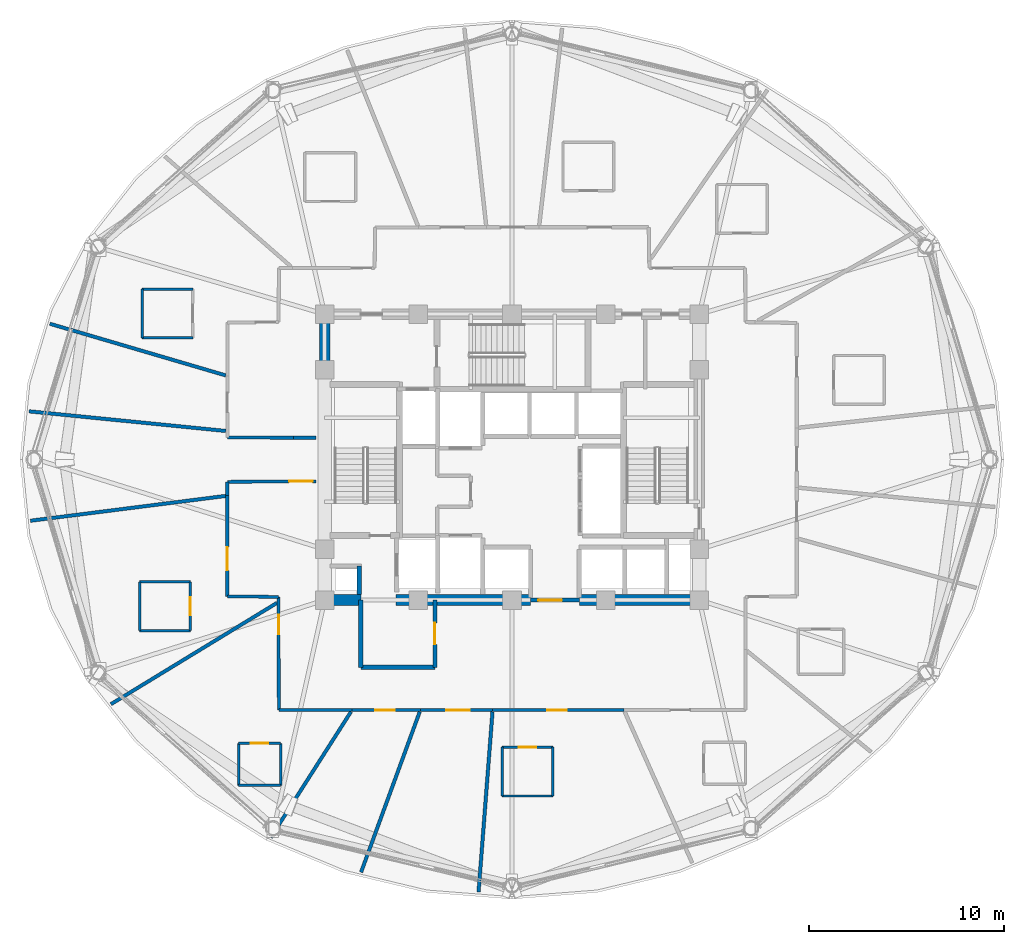
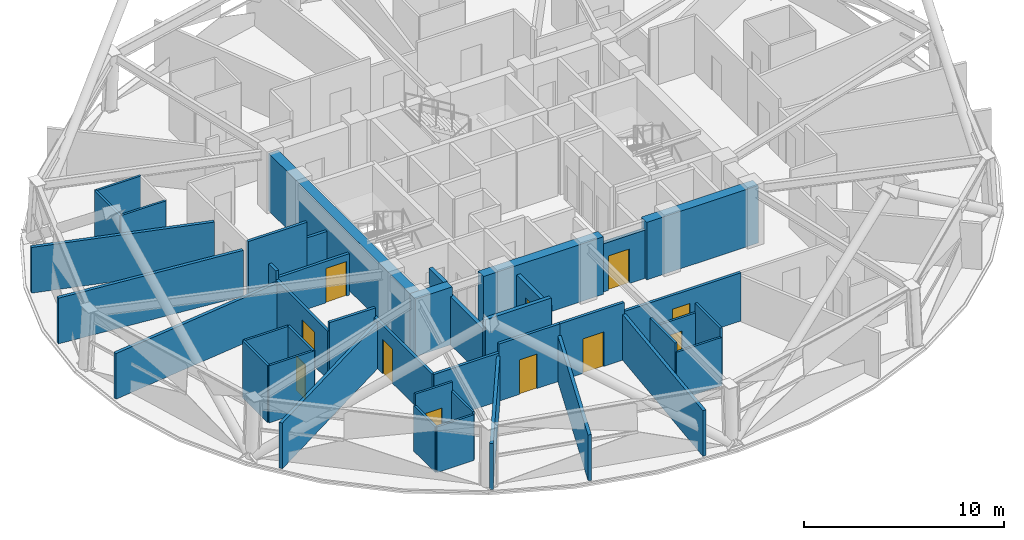
# One storey, part 7 of 13: 42 walls, 11 doors, 11 openings.
"""IFC4 building model written with IfcOpenShell, lengths in metres."""

from ifc_helpers import new_model, si_unit, direction, frame, frame_2d, origin, place, context, subcontext, project, spatial, rectangle, extrude, material, layer, layer_set, type_object, element, fill, save


model = new_model("IFC4")

# Units and contexts
model_context = context("Model", 3, precision=1e-05, world=origin(), true_north=direction((0.0, 1.0)))
body_context = subcontext(model_context, "Body", "Model", "MODEL_VIEW")
ifc_project = project(units=[si_unit("LENGTHUNIT", "METRE"), si_unit("AREAUNIT", "SQUARE_METRE"), si_unit("VOLUMEUNIT", "CUBIC_METRE"), si_unit("PLANEANGLEUNIT", "RADIAN"), si_unit("MASSUNIT", "GRAM", prefix="KILO")], contexts=[model_context])

# Site, building, storey
site_placement = place(None, origin())
site = spatial("IfcSite", under=ifc_project, at=site_placement, CompositionType="ELEMENT")
building_placement = place(site_placement, origin())
building = spatial("IfcBuilding", under=site, at=building_placement, Name="Vantalir Tower", CompositionType="ELEMENT")
storey_placement = place(building_placement, frame((0.0, 0.0, 172.199951171875)))
storey = spatial("IfcBuildingStorey", under=building, at=storey_placement, Name="L43", CompositionType="ELEMENT", Elevation=172.199951171875)

# Walls
ifc_material_1 = material(Name="Moisture-resistant en-suite partition", Category="gypsum")
ifc_layer_1 = layer(ifc_material_1, 0.125)
ifc_layer_set_1 = layer_set([ifc_layer_1], Name="Moisture-resistant en-suite partition")
wall_type_1 = type_object("IfcWallType", Name="WL-BATH-125", PredefinedType="PARTITIONING", material=ifc_layer_set_1)
for number, where, z_axis, x_axis, name in (
    (1, (12.544921875, 31.23095703125, 0.0), (0.0, 0.0, 1.0), (1.0, 0.0, 0.0), "L43 En-suite 07 South Wall"),
    (2, (12.544921875, 33.73095703125, 0.0), (0.0, 0.0, 1.0), (1.0, 0.0, 0.0), "L43 En-suite 07 North Wall"),
):
    element("IfcWall", number, at=place(storey_placement, frame(where, z_axis=z_axis, x_axis=x_axis)), inside=storey, type_object=wall_type_1, Name=name, PredefinedType="PARTITIONING", context=body_context, shape_type="SweptSolid", body=[
        extrude(rectangle(XDim=2.60009765625, YDim=0.125, at=frame_2d((1.300048828125, 0.0))), origin(), (0.0, 0.0, 1.0), 3.47998046875),
    ])
wall_1_placement = place(storey_placement, frame((12.544921875, 31.23095703125, 0.0), z_axis=(0.0, 0.0, 1.0), x_axis=(0.0, 1.0, 0.0)))
element("IfcWall", 3, at=wall_1_placement, inside=storey, type_object=wall_type_1, Name="L43 En-suite 07 West Wall", PredefinedType="PARTITIONING", context=body_context, shape_type="SweptSolid", body=[
    extrude(rectangle(XDim=2.5, YDim=0.125, at=frame_2d((1.25, 0.0))), origin(), (0.0, 0.0, 1.0), 3.47998046875),
])
for number, where, z_axis, x_axis, name in (
    (4, (12.4169921875, 16.23388671875, 0.0), (0.0, 0.0, 1.0), (1.0, 0.0, 0.0), "L43 En-suite 10 South Wall"),
    (5, (12.4169921875, 18.73388671875, 0.0), (0.0, 0.0, 1.0), (1.0, 0.0, 0.0), "L43 En-suite 10 North Wall"),
):
    element("IfcWall", number, at=place(storey_placement, frame(where, z_axis=z_axis, x_axis=x_axis)), inside=storey, type_object=wall_type_1, Name=name, PredefinedType="PARTITIONING", context=body_context, shape_type="SweptSolid", body=[
        extrude(rectangle(XDim=2.60009765625, YDim=0.125, at=frame_2d((1.300048828125, 0.0))), origin(), (0.0, 0.0, 1.0), 3.47998046875),
    ])
wall_2_placement = place(storey_placement, frame((12.4169921875, 16.23388671875, 0.0), z_axis=(0.0, 0.0, 1.0), x_axis=(0.0, 1.0, 0.0)))
element("IfcWall", 6, at=wall_2_placement, inside=storey, type_object=wall_type_1, Name="L43 En-suite 10 West Wall", PredefinedType="PARTITIONING", context=body_context, shape_type="SweptSolid", body=[
    extrude(rectangle(XDim=2.5, YDim=0.125, at=frame_2d((1.25, 0.0))), origin(), (0.0, 0.0, 1.0), 3.47998046875),
])

# Wall, opening, door
wall_3_placement = place(storey_placement, frame((15.01708984375, 16.23388671875, 0.0), z_axis=(0.0, 0.0, 1.0), x_axis=(0.0, 1.0, 0.0)))
wall_3 = element("IfcWall", 7, at=wall_3_placement, inside=storey, type_object=wall_type_1, Name="L43 En-suite 10 East Wall", PredefinedType="PARTITIONING", context=body_context, shape_type="SweptSolid", body=[
    extrude(rectangle(XDim=2.5, YDim=0.125, at=frame_2d((1.25, 0.0))), origin(), (0.0, 0.0, 1.0), 3.47998046875),
])
opening_1_placement = place(wall_3_placement, frame((0.800048828125, 0.0, 0.0)))
opening_1 = element("IfcOpeningElement", 8, at=opening_1_placement, cuts=wall_3, Name="Opening D-WC", PredefinedType="OPENING", context=body_context, shape_type="SweptSolid", body=[
    extrude(rectangle(XDim=0.89990234375, YDim=2.10009765625, at=frame_2d((0.449951171875, 1.050048828125))), frame((0.0, 0.072509765625, 0.0), z_axis=(0.0, -1.0, 0.0), x_axis=(1.0, 0.0, 0.0)), (0.0, 0.0, 1.0), 0.14501953125),
])
ifc_material_2 = material(Name="Moisture-resistant hardwood door", Category="wood")
door_type_1 = type_object("IfcDoorType", Name="DR-ENSUITE-900", OperationType="NOTDEFINED", PredefinedType="DOOR", material=ifc_material_2)
door_1_placement = place(opening_1_placement, origin())
door_1 = element("IfcDoor", 9, at=door_1_placement, inside=storey, type_object=door_type_1, Name="L43 En-suite 10 Door", OperationType="SINGLE_SWING_RIGHT", OverallHeight=2.10009765625, OverallWidth=0.89990234375, PredefinedType="DOOR", context=body_context, shape_type="SweptSolid", body=[
    extrude(rectangle(XDim=0.89990234375, YDim=2.10009765625, at=frame_2d((0.449951171875, 1.050048828125))), frame((0.0, 0.02490234375, 0.0), z_axis=(0.0, -1.0, 0.0), x_axis=(1.0, 0.0, 0.0)), (0.0, 0.0, 1.0), 0.050048828125),
])
fill(opening_1, door_1)

# Wall
wall_4_placement = place(storey_placement, frame((17.49609375, 8.302978515625, 0.0), z_axis=(0.0, 0.0, 1.0), x_axis=(1.0, 0.0, 0.0)))
element("IfcWall", 10, at=wall_4_placement, inside=storey, type_object=wall_type_1, Name="L43 En-suite 11 South Wall", PredefinedType="PARTITIONING", context=body_context, shape_type="SweptSolid", body=[
    extrude(rectangle(XDim=2.14990234375, YDim=0.125, at=frame_2d((1.074951171875, 0.0))), origin(), (0.0, 0.0, 1.0), 2.782958984375),
])

# Wall, opening, door
wall_5_placement = place(storey_placement, frame((17.49609375, 10.452880859375, 0.0), z_axis=(0.0, 0.0, 1.0), x_axis=(1.0, 0.0, 0.0)))
wall_5 = element("IfcWall", 11, at=wall_5_placement, inside=storey, type_object=wall_type_1, Name="L43 En-suite 11 North Wall", PredefinedType="PARTITIONING", context=body_context, shape_type="SweptSolid", body=[
    extrude(rectangle(XDim=2.14990234375, YDim=0.125, at=frame_2d((1.074951171875, 0.0))), origin(), (0.0, 0.0, 1.0), 3.47998046875),
])
opening_2_placement = place(wall_5_placement, frame((0.625, 0.0, 0.0)))
opening_2 = element("IfcOpeningElement", 12, at=opening_2_placement, cuts=wall_5, Name="Opening D-WC", PredefinedType="OPENING", context=body_context, shape_type="SweptSolid", body=[
    extrude(rectangle(XDim=0.89990234375, YDim=2.10009765625, at=frame_2d((0.449951171875, 1.050048828125))), frame((0.0, 0.072509765625, 0.0), z_axis=(0.0, -1.0, 0.0), x_axis=(1.0, 0.0, 0.0)), (0.0, 0.0, 1.0), 0.14501953125),
])
door_2_placement = place(opening_2_placement, frame((0.89990234375, 0.0, 0.0), z_axis=(0.0, 0.0, 1.0), x_axis=(-1.0, 0.0, 0.0)))
door_2 = element("IfcDoor", 13, at=door_2_placement, inside=storey, type_object=door_type_1, Name="L43 En-suite 11 Door", OperationType="SINGLE_SWING_LEFT", OverallHeight=2.10009765625, OverallWidth=0.89990234375, PredefinedType="DOOR", context=body_context, shape_type="SweptSolid", body=[
    extrude(rectangle(XDim=0.89990234375, YDim=2.10009765625, at=frame_2d((0.449951171875, 1.050048828125))), frame((0.0, 0.02490234375, 0.0), z_axis=(0.0, -1.0, 0.0), x_axis=(1.0, 0.0, 0.0)), (0.0, 0.0, 1.0), 0.050048828125),
])
fill(opening_2, door_2)

# Walls
wall_6_placement = place(storey_placement, frame((17.49609375, 8.302978515625, 0.0), z_axis=(0.0, 0.0, 1.0), x_axis=(0.0, 1.0, 0.0)))
element("IfcWall", 14, at=wall_6_placement, inside=storey, type_object=wall_type_1, Name="L43 En-suite 11 West Wall", PredefinedType="PARTITIONING", context=body_context, shape_type="SweptSolid", body=[
    extrude(rectangle(XDim=2.14990234375, YDim=0.125, at=frame_2d((1.074951171875, 0.0))), origin(), (0.0, 0.0, 1.0), 2.782958984375),
])
wall_7_placement = place(storey_placement, frame((19.64599609375, 8.302978515625, 0.0), z_axis=(0.0, 0.0, 1.0), x_axis=(0.0, 1.0, 0.0)))
element("IfcWall", 15, at=wall_7_placement, inside=storey, type_object=wall_type_1, Name="L43 En-suite 11 East Wall", PredefinedType="PARTITIONING", context=body_context, shape_type="SweptSolid", body=[
    extrude(rectangle(XDim=2.14990234375, YDim=0.125, at=frame_2d((1.074951171875, 0.0))), origin(), (0.0, 0.0, 1.0), 2.93603515625),
])
wall_8_placement = place(storey_placement, frame((30.998046875, 7.760009765625, 0.0), z_axis=(0.0, 0.0, 1.0), x_axis=(1.0, 0.0, 0.0)))
element("IfcWall", 16, at=wall_8_placement, inside=storey, type_object=wall_type_1, Name="L43 En-suite 14 South Wall", PredefinedType="PARTITIONING", context=body_context, shape_type="SweptSolid", body=[
    extrude(rectangle(XDim=2.599853515625, YDim=0.125, at=frame_2d((1.2998046875, 0.0))), origin(), (0.0, 0.0, 1.0), 2.93603515625),
])

# Wall, opening, door
wall_9_placement = place(storey_placement, frame((30.998046875, 10.260009765625, 0.0), z_axis=(0.0, 0.0, 1.0), x_axis=(1.0, 0.0, 0.0)))
wall_9 = element("IfcWall", 17, at=wall_9_placement, inside=storey, type_object=wall_type_1, Name="L43 En-suite 14 North Wall", PredefinedType="PARTITIONING", context=body_context, shape_type="SweptSolid", body=[
    extrude(rectangle(XDim=2.599853515625, YDim=0.125, at=frame_2d((1.2998046875, 0.0))), origin(), (0.0, 0.0, 1.0), 2.93603515625),
])
opening_3_placement = place(wall_9_placement, frame((0.85009765625, 0.0, 0.0)))
opening_3 = element("IfcOpeningElement", 18, at=opening_3_placement, cuts=wall_9, Name="Opening D-WC", PredefinedType="OPENING", context=body_context, shape_type="SweptSolid", body=[
    extrude(rectangle(XDim=0.89990234375, YDim=2.10009765625, at=frame_2d((0.449951171875, 1.050048828125))), frame((0.0, 0.072509765625, 0.0), z_axis=(0.0, -1.0, 0.0), x_axis=(1.0, 0.0, 0.0)), (0.0, 0.0, 1.0), 0.14501953125),
])
door_3_placement = place(opening_3_placement, frame((0.89990234375, 0.0, 0.0), z_axis=(0.0, 0.0, 1.0), x_axis=(-1.0, 0.0, 0.0)))
door_3 = element("IfcDoor", 19, at=door_3_placement, inside=storey, type_object=door_type_1, Name="L43 En-suite 14 Door", OperationType="SINGLE_SWING_RIGHT", OverallHeight=2.10009765625, OverallWidth=0.89990234375, PredefinedType="DOOR", context=body_context, shape_type="SweptSolid", body=[
    extrude(rectangle(XDim=0.89990234375, YDim=2.10009765625, at=frame_2d((0.449951171875, 1.050048828125))), frame((0.0, 0.02490234375, 0.0), z_axis=(0.0, -1.0, 0.0), x_axis=(1.0, 0.0, 0.0)), (0.0, 0.0, 1.0), 0.050048828125),
])
fill(opening_3, door_3)

# Walls
for number, where, z_axis, x_axis, name in (
    (20, (30.998046875, 7.760009765625, 0.0), (0.0, 0.0, 1.0), (0.0, 1.0, 0.0), "L43 En-suite 14 West Wall"),
    (21, (33.597900390625, 7.760009765625, 0.0), (0.0, 0.0, 1.0), (0.0, 1.0, 0.0), "L43 En-suite 14 East Wall"),
):
    element("IfcWall", number, at=place(storey_placement, frame(where, z_axis=z_axis, x_axis=x_axis)), inside=storey, type_object=wall_type_1, Name=name, PredefinedType="PARTITIONING", context=body_context, shape_type="SweptSolid", body=[
        extrude(rectangle(XDim=2.5, YDim=0.125, at=frame_2d((1.25, 0.0))), origin(), (0.0, 0.0, 1.0), 3.47998046875),
    ])
ifc_material_3 = material(Name="Concrete C60/75", Category="concrete")
ifc_layer_2 = layer(ifc_material_3, 0.550048828125)
ifc_layer_set_2 = layer_set([ifc_layer_2], Name="Concrete C60/75")
wall_type_2 = type_object("IfcWallType", Name="WL-CORE-550", PredefinedType="SHEAR", material=ifc_layer_set_2)
wall_10_placement = place(storey_placement, frame((21.625, 17.800048828125, 0.0), z_axis=(0.0, 0.0, 1.0), x_axis=(1.0, 0.0, 0.0)))
element("IfcWall", 22, at=wall_10_placement, inside=storey, type_object=wall_type_2, Name="L43 Core Shear Wall South-West", PredefinedType="SHEAR", context=body_context, shape_type="SweptSolid", body=[
    extrude(rectangle(XDim=2.125, YDim=0.550048828125, at=frame_2d((1.0625, 0.0))), origin(), (0.0, 0.0, 1.0), 3.5),
])
wall_11_placement = place(storey_placement, frame((25.550048828125, 17.800048828125, 0.0), z_axis=(0.0, 0.0, 1.0), x_axis=(1.0, 0.0, 0.0)))
element("IfcWall", 23, at=wall_11_placement, inside=storey, type_object=wall_type_2, Name="L43 Core Shear Wall South-Mid", PredefinedType="SHEAR", context=body_context, shape_type="SweptSolid", body=[
    extrude(rectangle(XDim=6.89990234375, YDim=0.550048828125, at=frame_2d((3.449951171875, 0.0))), origin(), (0.0, 0.0, 1.0), 3.5),
])
wall_12_placement = place(storey_placement, frame((34.949951171875, 17.800048828125, 0.0), z_axis=(0.0, 0.0, 1.0), x_axis=(1.0, 0.0, 0.0)))
element("IfcWall", 24, at=wall_12_placement, inside=storey, type_object=wall_type_2, Name="L43 Core Shear Wall South-East", PredefinedType="SHEAR", context=body_context, shape_type="SweptSolid", body=[
    extrude(rectangle(XDim=6.425048828125, YDim=0.550048828125, at=frame_2d((3.21240234375, 0.0))), origin(), (0.0, 0.0, 1.0), 3.5),
])
wall_13_placement = place(storey_placement, frame((21.89990234375, 18.074951171875, 0.0), z_axis=(0.0, 0.0, 1.0), x_axis=(0.0, 1.0, 0.0)))
element("IfcWall", 25, at=wall_13_placement, inside=storey, type_object=wall_type_2, Name="L43 Core Shear Wall West", PredefinedType="SHEAR", context=body_context, shape_type="SweptSolid", body=[
    extrude(rectangle(XDim=14.10009765625, YDim=0.550048828125, at=frame_2d((7.050048828125, 0.0))), origin(), (0.0, 0.0, 1.0), 3.5),
])
ifc_material_4 = material(Name="Fire-rated hotel corridor acoustic partition", Category="gypsum")
ifc_layer_3 = layer(ifc_material_4, 0.159912109375)
ifc_layer_set_3 = layer_set([ifc_layer_3], Name="Fire-rated hotel corridor acoustic partition")
wall_type_3 = type_object("IfcWallType", Name="WL-CORR-160", PredefinedType="PARTITIONING", material=ifc_layer_set_3)
wall_14_placement = place(storey_placement, frame((21.445068359375, 26.114990234375, 0.0), z_axis=(0.0, 0.0, 1.0), x_axis=(-0.999998527672, 0.001715999189, 0.0)))
element("IfcWall", 26, at=wall_14_placement, inside=storey, type_object=wall_type_3, Name="L43 Corridor Partition 01", PredefinedType="PARTITIONING", context=body_context, shape_type="SweptSolid", body=[
    extrude(rectangle(XDim=1.13818359375, YDim=0.159912109375, at=frame_2d((0.569091796875, 0.0))), origin(), (0.0, 0.0, 1.0), 2.525146484375),
])
wall_15_placement = place(storey_placement, frame((20.306884765625, 26.116943359375, 0.0), z_axis=(0.0, 0.0, 1.0), x_axis=(-0.999997172485, 0.002378028875, 0.0)))
element("IfcWall", 27, at=wall_15_placement, inside=storey, type_object=wall_type_3, Name="L43 Corridor Partition 02", PredefinedType="PARTITIONING", context=body_context, shape_type="SweptSolid", body=[
    extrude(rectangle(XDim=3.387939453125, YDim=0.159912109375, at=frame_2d((1.69384765625, 0.0))), origin(), (0.0, 0.0, 1.0), 3.47998046875),
])

# Wall, opening, door
wall_16_placement = place(storey_placement, frame((37.23388671875, 12.1650390625, 0.0), z_axis=(0.0, 0.0, 1.0), x_axis=(-0.999999905159, -0.000435524221, 0.0)))
wall_16 = element("IfcWall", 28, at=wall_16_placement, inside=storey, type_object=wall_type_3, Name="L43 Corridor Partition 28", PredefinedType="PARTITIONING", context=body_context, shape_type="SweptSolid", body=[
    extrude(rectangle(XDim=6.726806640625, YDim=0.159912109375, at=frame_2d((3.36328125, 0.0))), origin(), (0.0, 0.0, 1.0), 2.93603515625),
])
opening_4_placement = place(wall_16_placement, frame((2.93701171875, 0.0, 0.0)))
opening_4 = element("IfcOpeningElement", 29, at=opening_4_placement, cuts=wall_16, Name="Opening D-GUEST", PredefinedType="OPENING", context=body_context, shape_type="SweptSolid", body=[
    extrude(rectangle(XDim=1.0, YDim=2.10009765625, at=frame_2d((0.5, 1.050048828125))), frame((0.0, 0.08984375, 0.0), z_axis=(0.0, -1.0, 0.0), x_axis=(1.0, 0.0, 0.0)), (0.0, 0.0, 1.0), 0.179931640625),
])
ifc_material_5 = material(Name="Solid-core teak veneer acoustic fire door", Category="wood")
door_type_2 = type_object("IfcDoorType", Name="DR-GUEST-ENTRY-1000", OperationType="NOTDEFINED", PredefinedType="DOOR", material=ifc_material_5)
door_4_placement = place(opening_4_placement, origin())
door_4 = element("IfcDoor", 30, at=door_4_placement, inside=storey, type_object=door_type_2, Name="L43 Twin Queen Hotel Room 14 Door", OperationType="SINGLE_SWING_LEFT", OverallHeight=2.10009765625, OverallWidth=1.0, PredefinedType="DOOR", context=body_context, shape_type="SweptSolid", body=[
    extrude(rectangle(XDim=1.0, YDim=2.10009765625, at=frame_2d((0.5, 1.050048828125))), frame((0.0, 0.02490234375, 0.0), z_axis=(0.0, -1.0, 0.0), x_axis=(1.0, 0.0, 0.0)), (0.0, 0.0, 1.0), 0.050048828125),
])
fill(opening_4, door_4)

wall_17_placement = place(storey_placement, frame((30.507080078125, 12.162109375, 0.0), z_axis=(0.0, 0.0, 1.0), x_axis=(-0.999999823965, -0.000593354326, 0.0)))
wall_17 = element("IfcWall", 31, at=wall_17_placement, inside=storey, type_object=wall_type_3, Name="L43 Corridor Partition 29", PredefinedType="PARTITIONING", context=body_context, shape_type="SweptSolid", body=[
    extrude(rectangle(XDim=3.703125, YDim=0.159912109375, at=frame_2d((1.8515625, 0.0))), origin(), (0.0, 0.0, 1.0), 3.47998046875),
])
opening_5_placement = place(wall_17_placement, frame((1.178955078125, 0.0, 0.0)))
opening_5 = element("IfcOpeningElement", 32, at=opening_5_placement, cuts=wall_17, Name="Opening D-STE", PredefinedType="OPENING", context=body_context, shape_type="SweptSolid", body=[
    extrude(rectangle(XDim=1.199951171875, YDim=2.10009765625, at=frame_2d((0.60009765625, 1.050048828125))), frame((0.0, 0.08984375, 0.0), z_axis=(0.0, -1.0, 0.0), x_axis=(1.0, 0.0, 0.0)), (0.0, 0.0, 1.0), 0.179931640625),
])
ifc_material_6 = material(Name="Solid-core teak veneer suite entrance door", Category="wood")
door_type_3 = type_object("IfcDoorType", Name="DR-SUITE-ENTRY-1200", OperationType="NOTDEFINED", PredefinedType="DOOR", material=ifc_material_6)
door_5_placement = place(opening_5_placement, origin())
door_5 = element("IfcDoor", 33, at=door_5_placement, inside=storey, type_object=door_type_3, Name="L43 Club Reading Lounge 13 Door", OperationType="SINGLE_SWING_RIGHT", OverallHeight=2.10009765625, OverallWidth=1.199951171875, PredefinedType="DOOR", context=body_context, shape_type="SweptSolid", body=[
    extrude(rectangle(XDim=1.199951171875, YDim=2.10009765625, at=frame_2d((0.60009765625, 1.050048828125))), frame((0.0, 0.02490234375, 0.0), z_axis=(0.0, -1.0, 0.0), x_axis=(1.0, 0.0, 0.0)), (0.0, 0.0, 1.0), 0.050048828125),
])
fill(opening_5, door_5)

wall_18_placement = place(storey_placement, frame((26.803955078125, 12.159912109375, 0.0), z_axis=(0.0, 0.0, 1.0), x_axis=(-0.999999844558, -0.000557568912, 0.0)))
wall_18 = element("IfcWall", 34, at=wall_18_placement, inside=storey, type_object=wall_type_3, Name="L43 Corridor Partition 30", PredefinedType="PARTITIONING", context=body_context, shape_type="SweptSolid", body=[
    extrude(rectangle(XDim=3.5029296875, YDim=0.159912109375, at=frame_2d((1.75146484375, 0.0))), origin(), (0.0, 0.0, 1.0), 3.47998046875),
])
opening_6_placement = place(wall_18_placement, frame((1.323974609375, 0.0, 0.0)))
opening_6 = element("IfcOpeningElement", 35, at=opening_6_placement, cuts=wall_18, Name="Opening D-GUEST", PredefinedType="OPENING", context=body_context, shape_type="SweptSolid", body=[
    extrude(rectangle(XDim=1.0, YDim=2.10009765625, at=frame_2d((0.5, 1.050048828125))), frame((0.0, 0.08984375, 0.0), z_axis=(0.0, -1.0, 0.0), x_axis=(1.0, 0.0, 0.0)), (0.0, 0.0, 1.0), 0.179931640625),
])
door_6_placement = place(opening_6_placement, origin())
door_6 = element("IfcDoor", 36, at=door_6_placement, inside=storey, type_object=door_type_2, Name="L43 Executive Business Study 12 Door", OperationType="SINGLE_SWING_LEFT", OverallHeight=2.10009765625, OverallWidth=1.0, PredefinedType="DOOR", context=body_context, shape_type="SweptSolid", body=[
    extrude(rectangle(XDim=1.0, YDim=2.10009765625, at=frame_2d((0.5, 1.050048828125))), frame((0.0, 0.02490234375, 0.0), z_axis=(0.0, -1.0, 0.0), x_axis=(1.0, 0.0, 0.0)), (0.0, 0.0, 1.0), 0.050048828125),
])
fill(opening_6, door_6)

# Wall
wall_19_placement = place(storey_placement, frame((23.301025390625, 12.157958984375, 0.0), z_axis=(0.0, 0.0, 1.0), x_axis=(-0.999999966056, -0.000260552362, 0.0)))
element("IfcWall", 37, at=wall_19_placement, inside=storey, type_object=wall_type_3, Name="L43 Corridor Partition 31", PredefinedType="PARTITIONING", context=body_context, shape_type="SweptSolid", body=[
    extrude(rectangle(XDim=3.748046875, YDim=0.159912109375, at=frame_2d((1.8740234375, 0.0))), origin(), (0.0, 0.0, 1.0), 2.93603515625),
])

# Wall, opening, door
wall_20_placement = place(storey_placement, frame((19.552978515625, 12.156982421875, 0.0), z_axis=(0.0, 0.0, 1.0), x_axis=(-0.003113283747, 0.99999515372, 0.0)))
wall_20 = element("IfcWall", 38, at=wall_20_placement, inside=storey, type_object=wall_type_3, Name="L43 Corridor Partition 32", PredefinedType="PARTITIONING", context=body_context, shape_type="SweptSolid", body=[
    extrude(rectangle(XDim=5.802978515625, YDim=0.159912109375, at=frame_2d((2.9013671875, 0.0))), origin(), (0.0, 0.0, 1.0), 2.93603515625),
])
opening_7_placement = place(wall_20_placement, frame((3.89599609375, 0.0, 0.0)))
opening_7 = element("IfcOpeningElement", 39, at=opening_7_placement, cuts=wall_20, Name="Opening D-GUEST", PredefinedType="OPENING", context=body_context, shape_type="SweptSolid", body=[
    extrude(rectangle(XDim=1.0, YDim=2.10009765625, at=frame_2d((0.5, 1.050048828125))), frame((0.0, 0.08984375, 0.0), z_axis=(0.0, -1.0, 0.0), x_axis=(1.0, 0.0, 0.0)), (0.0, 0.0, 1.0), 0.179931640625),
])
door_7_placement = place(opening_7_placement, origin())
door_7 = element("IfcDoor", 40, at=door_7_placement, inside=storey, type_object=door_type_2, Name="L43 Twin Queen Hotel Room 11 Door", OperationType="SINGLE_SWING_RIGHT", OverallHeight=2.10009765625, OverallWidth=1.0, PredefinedType="DOOR", context=body_context, shape_type="SweptSolid", body=[
    extrude(rectangle(XDim=1.0, YDim=2.10009765625, at=frame_2d((0.5, 1.050048828125))), frame((0.0, 0.02490234375, 0.0), z_axis=(0.0, -1.0, 0.0), x_axis=(1.0, 0.0, 0.0)), (0.0, 0.0, 1.0), 0.050048828125),
])
fill(opening_7, door_7)

# Wall
wall_21_placement = place(storey_placement, frame((19.534912109375, 17.9599609375, 0.0), z_axis=(0.0, 0.0, 1.0), x_axis=(-0.999925730774, 0.012187408888, 0.0)))
element("IfcWall", 41, at=wall_21_placement, inside=storey, type_object=wall_type_3, Name="L43 Corridor Partition 33", PredefinedType="PARTITIONING", context=body_context, shape_type="SweptSolid", body=[
    extrude(rectangle(XDim=2.624267578125, YDim=0.159912109375, at=frame_2d((1.31201171875, 0.0))), origin(), (0.0, 0.0, 1.0), 3.47998046875),
])

# Wall, opening, door
wall_22_placement = place(storey_placement, frame((16.910888671875, 17.991943359375, 0.0), z_axis=(0.0, 0.0, 1.0), x_axis=(0.0, 1.0, 0.0)))
wall_22 = element("IfcWall", 42, at=wall_22_placement, inside=storey, type_object=wall_type_3, Name="L43 Corridor Partition 34", PredefinedType="PARTITIONING", context=body_context, shape_type="SweptSolid", body=[
    extrude(rectangle(XDim=5.154052734375, YDim=0.159912109375, at=frame_2d((2.5771484375, 0.0))), origin(), (0.0, 0.0, 1.0), 2.93603515625),
])
opening_8_placement = place(wall_22_placement, frame((1.322998046875, 0.0, 0.0)))
opening_8 = element("IfcOpeningElement", 43, at=opening_8_placement, cuts=wall_22, Name="Opening D-STE", PredefinedType="OPENING", context=body_context, shape_type="SweptSolid", body=[
    extrude(rectangle(XDim=1.199951171875, YDim=2.10009765625, at=frame_2d((0.60009765625, 1.050048828125))), frame((0.0, 0.08984375, 0.0), z_axis=(0.0, -1.0, 0.0), x_axis=(1.0, 0.0, 0.0)), (0.0, 0.0, 1.0), 0.179931640625),
])
door_8_placement = place(opening_8_placement, origin())
door_8 = element("IfcDoor", 44, at=door_8_placement, inside=storey, type_object=door_type_3, Name="L43 Executive Club Hotel Suite 10 Door", OperationType="SINGLE_SWING_LEFT", OverallHeight=2.10009765625, OverallWidth=1.199951171875, PredefinedType="DOOR", context=body_context, shape_type="SweptSolid", body=[
    extrude(rectangle(XDim=1.199951171875, YDim=2.10009765625, at=frame_2d((0.60009765625, 1.050048828125))), frame((0.0, 0.02490234375, 0.0), z_axis=(0.0, -1.0, 0.0), x_axis=(1.0, 0.0, 0.0)), (0.0, 0.0, 1.0), 0.050048828125),
])
fill(opening_8, door_8)

# Wall
wall_23_placement = place(storey_placement, frame((16.910888671875, 23.14599609375, 0.0), z_axis=(0.0, 0.0, 1.0), x_axis=(0.0, 1.0, 0.0)))
element("IfcWall", 45, at=wall_23_placement, inside=storey, type_object=wall_type_3, Name="L43 Corridor Partition 35", PredefinedType="PARTITIONING", context=body_context, shape_type="SweptSolid", body=[
    extrude(rectangle(XDim=0.7119140625, YDim=0.159912109375, at=frame_2d((0.35595703125, 0.0))), origin(), (0.0, 0.0, 1.0), 3.47998046875),
])

# Wall, opening, door
wall_24_placement = place(storey_placement, frame((16.910888671875, 23.85791015625, 0.0), z_axis=(0.0, 0.0, 1.0), x_axis=(0.999983403772, 0.005761265572, 0.0)))
wall_24 = element("IfcWall", 46, at=wall_24_placement, inside=storey, type_object=wall_type_3, Name="L43 Corridor Partition 36", PredefinedType="PARTITIONING", context=body_context, shape_type="SweptSolid", body=[
    extrude(rectangle(XDim=4.5341796875, YDim=0.159912109375, at=frame_2d((2.26708984375, 0.0))), origin(), (0.0, 0.0, 1.0), 2.525146484375),
])
opening_9_placement = place(wall_24_placement, frame((3.174072265625, 0.0, 0.0)))
opening_9 = element("IfcOpeningElement", 47, at=opening_9_placement, cuts=wall_24, Name="Opening D-STE", PredefinedType="OPENING", context=body_context, shape_type="SweptSolid", body=[
    extrude(rectangle(XDim=1.199951171875, YDim=2.10009765625, at=frame_2d((0.60009765625, 1.050048828125))), frame((0.0, 0.08984375, 0.0), z_axis=(0.0, -1.0, 0.0), x_axis=(1.0, 0.0, 0.0)), (0.0, 0.0, 1.0), 0.179931640625),
])
door_9_placement = place(opening_9_placement, origin())
door_9 = element("IfcDoor", 48, at=door_9_placement, inside=storey, type_object=door_type_3, Name="L43 Club Reading Lounge 09 Door", OperationType="SINGLE_SWING_RIGHT", OverallHeight=2.10009765625, OverallWidth=1.199951171875, PredefinedType="DOOR", context=body_context, shape_type="SweptSolid", body=[
    extrude(rectangle(XDim=1.199951171875, YDim=2.10009765625, at=frame_2d((0.60009765625, 1.050048828125))), frame((0.0, 0.02490234375, 0.0), z_axis=(0.0, -1.0, 0.0), x_axis=(1.0, 0.0, 0.0)), (0.0, 0.0, 1.0), 0.050048828125),
])
fill(opening_9, door_9)

ifc_material_7 = material(Name="Concrete blockwork with fireboard lining", Category="masonry")
ifc_layer_4 = layer(ifc_material_7, 0.219970703125)
ifc_layer_set_4 = layer_set([ifc_layer_4], Name="Concrete blockwork with fireboard lining")
wall_type_4 = type_object("IfcWallType", Name="WL-FFL-220", PredefinedType="PARTITIONING", material=ifc_layer_set_4)
wall_25_placement = place(storey_placement, frame((32.449951171875, 17.800048828125, 0.0), z_axis=(0.0, 0.0, 1.0), x_axis=(1.0, 0.0, 0.0)))
wall_25 = element("IfcWall", 49, at=wall_25_placement, inside=storey, type_object=wall_type_4, Name="L43 Passenger Lift Lobby South Wall", PredefinedType="PARTITIONING", context=body_context, shape_type="SweptSolid", body=[
    extrude(rectangle(XDim=2.5, YDim=0.219970703125, at=frame_2d((1.25, 0.0))), origin(), (0.0, 0.0, 1.0), 2.93603515625),
])
opening_10_placement = place(wall_25_placement, frame((0.39990234375, 0.0, 0.0)))
opening_10 = element("IfcOpeningElement", 50, at=opening_10_placement, cuts=wall_25, Name="Opening D-STE", PredefinedType="OPENING", context=body_context, shape_type="SweptSolid", body=[
    extrude(rectangle(XDim=1.199951171875, YDim=2.10009765625, at=frame_2d((0.60009765625, 1.050048828125))), frame((0.0, 0.119873046875, 0.0), z_axis=(0.0, -1.0, 0.0), x_axis=(1.0, 0.0, 0.0)), (0.0, 0.0, 1.0), 0.239990234375),
])
door_10_placement = place(opening_10_placement, origin())
door_10 = element("IfcDoor", 51, at=door_10_placement, inside=storey, type_object=door_type_3, Name="L43 Passenger Lift Lobby Concourse Door", OperationType="SINGLE_SWING_RIGHT", OverallHeight=2.10009765625, OverallWidth=1.199951171875, PredefinedType="DOOR", context=body_context, shape_type="SweptSolid", body=[
    extrude(rectangle(XDim=1.199951171875, YDim=2.10009765625, at=frame_2d((0.60009765625, 1.050048828125))), frame((0.0, 0.02490234375, 0.0), z_axis=(0.0, -1.0, 0.0), x_axis=(1.0, 0.0, 0.0)), (0.0, 0.0, 1.0), 0.050048828125),
])
fill(opening_10, door_10)

# Walls
wall_26_placement = place(storey_placement, frame((23.679931640625, 18.074951171875, 0.0), z_axis=(0.0, 0.0, 1.0), x_axis=(0.0, 1.0, 0.0)))
element("IfcWall", 52, at=wall_26_placement, inside=storey, type_object=wall_type_4, Name="L43 West MEP Riser Wall E", PredefinedType="PARTITIONING", context=body_context, shape_type="SweptSolid", body=[
    extrude(rectangle(XDim=1.47509765625, YDim=0.219970703125, at=frame_2d((0.737548828125, 0.0))), origin(), (0.0, 0.0, 1.0), 3.47998046875),
])
wall_27_placement = place(storey_placement, frame((23.75, 14.35009765625, 0.0), z_axis=(0.0, 0.0, 1.0), x_axis=(0.0, 1.0, 0.0)))
element("IfcWall", 53, at=wall_27_placement, inside=storey, type_object=wall_type_4, Name="L43 Firefighting Lobby West Outer W", PredefinedType="PARTITIONING", context=body_context, shape_type="SweptSolid", body=[
    extrude(rectangle(XDim=3.449951171875, YDim=0.219970703125, at=frame_2d((1.72509765625, 0.0))), origin(), (0.0, 0.0, 1.0), 2.93603515625),
])
wall_28_placement = place(storey_placement, frame((23.75, 14.35009765625, 0.0), z_axis=(0.0, 0.0, 1.0), x_axis=(1.0, 0.0, 0.0)))
element("IfcWall", 54, at=wall_28_placement, inside=storey, type_object=wall_type_4, Name="L43 Firefighting Lobby West South Wall", PredefinedType="PARTITIONING", context=body_context, shape_type="SweptSolid", body=[
    extrude(rectangle(XDim=3.800048828125, YDim=0.219970703125, at=frame_2d((1.89990234375, 0.0))), origin(), (0.0, 0.0, 1.0), 3.47998046875),
])

# Wall, opening, door
wall_29_placement = place(storey_placement, frame((27.550048828125, 14.35009765625, 0.0), z_axis=(0.0, 0.0, 1.0), x_axis=(0.0, 1.0, 0.0)))
wall_29 = element("IfcWall", 55, at=wall_29_placement, inside=storey, type_object=wall_type_4, Name="L43 Firefighting Lobby West East Wall", PredefinedType="PARTITIONING", context=body_context, shape_type="SweptSolid", body=[
    extrude(rectangle(XDim=3.449951171875, YDim=0.219970703125, at=frame_2d((1.72509765625, 0.0))), origin(), (0.0, 0.0, 1.0), 2.93603515625),
])
opening_11_placement = place(wall_29_placement, frame((1.175048828125, 0.0, 0.0)))
opening_11 = element("IfcOpeningElement", 56, at=opening_11_placement, cuts=wall_29, Name="Opening D-FFL", PredefinedType="OPENING", context=body_context, shape_type="SweptSolid", body=[
    extrude(rectangle(XDim=1.10009765625, YDim=2.10009765625, at=frame_2d((0.550048828125, 1.050048828125))), frame((0.0, 0.119873046875, 0.0), z_axis=(0.0, -1.0, 0.0), x_axis=(1.0, 0.0, 0.0)), (0.0, 0.0, 1.0), 0.239990234375),
])
ifc_material_8 = material(Name="Fire-rated acoustic steel door", Category="steel")
door_type_4 = type_object("IfcDoorType", Name="DR-FIRE-LOBBY-1100", OperationType="NOTDEFINED", PredefinedType="DOOR", material=ifc_material_8)
door_11_placement = place(opening_11_placement, origin())
door_11 = element("IfcDoor", 57, at=door_11_placement, inside=storey, type_object=door_type_4, Name="L43 Firefighting Lobby West Access Door", OperationType="SINGLE_SWING_RIGHT", OverallHeight=2.10009765625, OverallWidth=1.10009765625, PredefinedType="DOOR", context=body_context, shape_type="SweptSolid", body=[
    extrude(rectangle(XDim=1.10009765625, YDim=2.10009765625, at=frame_2d((0.550048828125, 1.050048828125))), frame((0.0, 0.02490234375, 0.0), z_axis=(0.0, -1.0, 0.0), x_axis=(1.0, 0.0, 0.0)), (0.0, 0.0, 1.0), 0.050048828125),
])
fill(opening_11, door_11)

# Walls
ifc_material_9 = material(Name="Twin-stud acoustic fire-rated gypsum partition", Category="gypsum")
ifc_layer_5 = layer(ifc_material_9, 0.179931640625)
ifc_layer_set_5 = layer_set([ifc_layer_5], Name="Twin-stud acoustic fire-rated gypsum partition")
wall_type_5 = type_object("IfcWallType", Name="WL-GUEST-180", PredefinedType="PARTITIONING", material=ifc_layer_set_5)
wall_30_placement = place(storey_placement, frame((16.8349609375, 29.30908203125, 0.0), z_axis=(0.0, 0.0, 1.0), x_axis=(-0.959465984562, 0.281824456833, 0.0)))
element("IfcWall", 58, at=wall_30_placement, inside=storey, type_object=wall_type_5, Name="L43 Radial Suite Partition 08", PredefinedType="PARTITIONING", context=body_context, shape_type="SweptSolid", body=[
    extrude(rectangle(XDim=9.395751953125, YDim=0.179931640625, at=frame_2d((4.69775390625, 0.0))), origin(), (0.0, 0.0, 1.0), 2.782958984375),
])
wall_31_placement = place(storey_placement, frame((16.8349609375, 26.464111328125, 0.0), z_axis=(0.0, 0.0, 1.0), x_axis=(-0.995056978166, 0.099305640337, 0.0)))
element("IfcWall", 59, at=wall_31_placement, inside=storey, type_object=wall_type_5, Name="L43 Radial Suite Partition 09", PredefinedType="PARTITIONING", context=body_context, shape_type="SweptSolid", body=[
    extrude(rectangle(XDim=10.12890625, YDim=0.179931640625, at=frame_2d((5.064453125, 0.0))), origin(), (0.0, 0.0, 1.0), 2.782958984375),
])
wall_32_placement = place(storey_placement, frame((16.8349609375, 23.135986328125, 0.0), z_axis=(0.0, 0.0, 1.0), x_axis=(-0.992015582563, -0.126115359703, 0.0)))
element("IfcWall", 60, at=wall_32_placement, inside=storey, type_object=wall_type_5, Name="L43 Radial Suite Partition 10", PredefinedType="PARTITIONING", context=body_context, shape_type="SweptSolid", body=[
    extrude(rectangle(XDim=10.093505859375, YDim=0.179931640625, at=frame_2d((5.046875, 0.0))), origin(), (0.0, 0.0, 1.0), 2.782958984375),
])
wall_33_placement = place(storey_placement, frame((19.4599609375, 17.656005859375, 0.0), z_axis=(0.0, 0.0, 1.0), x_axis=(-0.853711993856, -0.520745457537, 0.0)))
element("IfcWall", 61, at=wall_33_placement, inside=storey, type_object=wall_type_5, Name="L43 Radial Suite Partition 11", PredefinedType="PARTITIONING", context=body_context, shape_type="SweptSolid", body=[
    extrude(rectangle(XDim=9.96826171875, YDim=0.179931640625, at=frame_2d((4.984130859375, 0.0))), origin(), (0.0, 0.0, 1.0), 2.782958984375),
])
wall_34_placement = place(storey_placement, frame((23.248046875, 12.074951171875, 0.0), z_axis=(0.0, 0.0, 1.0), x_axis=(-0.538138353418, -0.84285651957, 0.0)))
element("IfcWall", 62, at=wall_34_placement, inside=storey, type_object=wall_type_5, Name="L43 Radial Suite Partition 12", PredefinedType="PARTITIONING", context=body_context, shape_type="SweptSolid", body=[
    extrude(rectangle(XDim=7.639404296875, YDim=0.179931640625, at=frame_2d((3.81982421875, 0.0))), origin(), (0.0, 0.0, 1.0), 2.782958984375),
])
wall_35_placement = place(storey_placement, frame((26.77294921875, 12.074951171875, 0.0), z_axis=(0.0, 0.0, 1.0), x_axis=(-0.343462150778, -0.939166519305, 0.0)))
element("IfcWall", 63, at=wall_35_placement, inside=storey, type_object=wall_type_5, Name="L43 Radial Suite Partition 13", PredefinedType="PARTITIONING", context=body_context, shape_type="SweptSolid", body=[
    extrude(rectangle(XDim=8.75439453125, YDim=0.179931640625, at=frame_2d((4.377197265625, 0.0))), origin(), (0.0, 0.0, 1.0), 2.782958984375),
])
wall_36_placement = place(storey_placement, frame((30.5009765625, 12.074951171875, 0.0), z_axis=(0.0, 0.0, 1.0), x_axis=(-0.077167931776, -0.997018109317, 0.0)))
element("IfcWall", 64, at=wall_36_placement, inside=storey, type_object=wall_type_5, Name="L43 Radial Suite Partition 14", PredefinedType="PARTITIONING", context=body_context, shape_type="SweptSolid", body=[
    extrude(rectangle(XDim=9.2666015625, YDim=0.179931640625, at=frame_2d((4.63330078125, 0.0))), origin(), (0.0, 0.0, 1.0), 2.782958984375),
])

save(model, "model.ifc")
